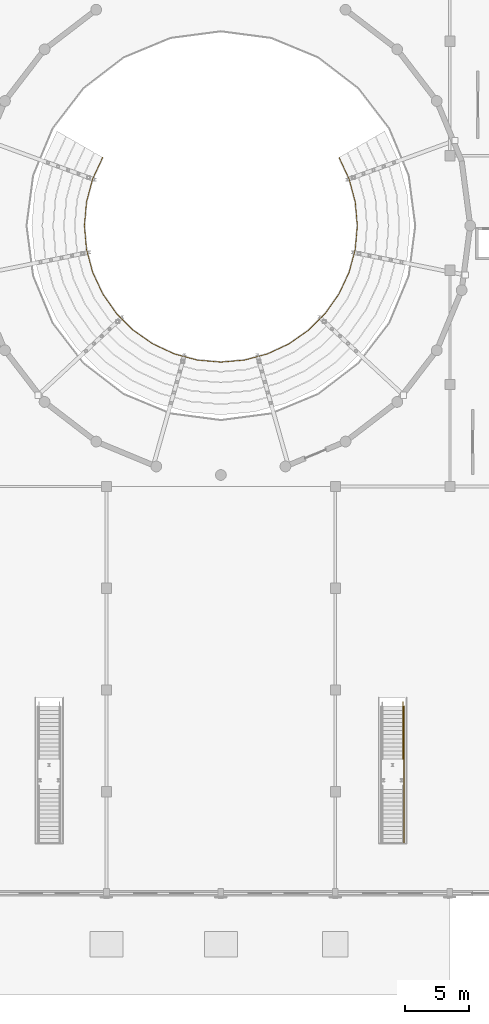
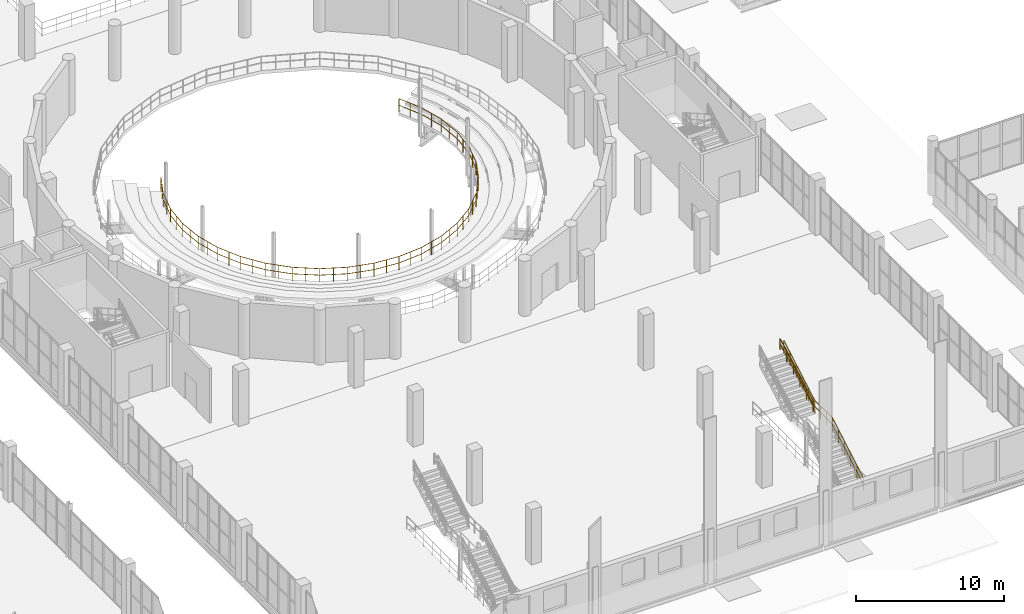
# One storey, part 86 of 93: 3 railings.
"""IFC4 building model written with IfcOpenShell, lengths in metres."""

from ifc_helpers import new_model, si_unit, direction, frame, origin, origin_2d, place, context, subcontext, project, spatial, circle, extrude, material, type_object, element, save


model = new_model("IFC4")

# Units and contexts
model_context = context("Model", 3, precision=1e-05, world=origin(), true_north=direction((0.0, 1.0)))
body_context = subcontext(model_context, "Body", "Model", "MODEL_VIEW")
ifc_project = project(units=[si_unit("LENGTHUNIT", "METRE"), si_unit("AREAUNIT", "SQUARE_METRE"), si_unit("VOLUMEUNIT", "CUBIC_METRE"), si_unit("PLANEANGLEUNIT", "RADIAN"), si_unit("MASSUNIT", "GRAM", prefix="KILO")], contexts=[model_context])

# Site, building, storey
site_placement = place(None, origin())
site = spatial("IfcSite", under=ifc_project, at=site_placement, CompositionType="ELEMENT")
building_placement = place(site_placement, origin())
building = spatial("IfcBuilding", under=site, at=building_placement, Name="Marnock Terrace Opera House", CompositionType="ELEMENT")
storey_placement = place(building_placement, frame((0.0, 0.0, 5.39990234375)))
storey = spatial("IfcBuildingStorey", under=building, at=storey_placement, Name="L01", CompositionType="ELEMENT", Elevation=5.39990234375)

# Railings
ifc_material = material(Name="Architectural bronze balustrade")
railing_type_1 = type_object("IfcRailingType", Name="RL-ATRIUM-1120", PredefinedType="BALUSTRADE", material=ifc_material)
railing_1_placement = place(storey_placement, frame((72.70751953125, 65.864990234375, 0.35009765625)))
element("IfcRailing", 1, at=railing_1_placement, inside=storey, type_object=railing_type_1, Name="L01 floor opening balustrade TIER-FRONT-L01", PredefinedType="BALUSTRADE", context=body_context, shape_type="SweptSolid", body=[
    extrude(circle(Radius=0.02392578125, at=origin_2d()), frame((0.0, 0.0, 1.09619140625), z_axis=(-0.422663928723, -0.906286490773, 0.0), x_axis=(0.906286490773, -0.422663928723, 0.0)), (0.0, 0.0, 1.0), 1.870361328125),
    extrude(circle(Radius=0.02392578125, at=origin_2d()), frame((0.0, 0.0, 0.56005859375), z_axis=(-0.422663928723, -0.906286490773, 0.0), x_axis=(0.906286490773, -0.422663928723, 0.0)), (0.0, 0.0, 1.0), 1.870361328125),
    extrude(circle(Radius=0.02392578125, at=origin_2d()), frame((-0.79052734375, -1.695068359375, 1.09619140625), z_axis=(-0.258718685807, -0.965952711893, 0.0), x_axis=(0.965952711893, -0.258718685807, 0.0)), (0.0, 0.0, 1.0), 1.870361328125),
    extrude(circle(Radius=0.02392578125, at=origin_2d()), frame((-0.79052734375, -1.695068359375, 0.56005859375), z_axis=(-0.258718685807, -0.965952711893, 0.0), x_axis=(0.965952711893, -0.258718685807, 0.0)), (0.0, 0.0, 1.0), 1.870361328125),
    extrude(circle(Radius=0.02392578125, at=origin_2d()), frame((-1.2744140625, -3.501708984375, 1.09619140625), z_axis=(-0.087192857545, -0.996191450271, 0.0), x_axis=(0.996191450271, -0.087192857545, 0.0)), (0.0, 0.0, 1.0), 1.870361328125),
    extrude(circle(Radius=0.02392578125, at=origin_2d()), frame((-1.2744140625, -3.501708984375, 0.56005859375), z_axis=(-0.087192857545, -0.996191450271, 0.0), x_axis=(0.996191450271, -0.087192857545, 0.0)), (0.0, 0.0, 1.0), 1.870361328125),
    extrude(circle(Radius=0.02392578125, at=origin_2d()), frame((-1.4375, -5.364990234375, 1.09619140625), z_axis=(0.087192857545, -0.996191450271, 0.0), x_axis=(0.996191450271, 0.087192857545, 0.0)), (0.0, 0.0, 1.0), 1.870361328125),
    extrude(circle(Radius=0.02392578125, at=origin_2d()), frame((-1.4375, -5.364990234375, 0.56005859375), z_axis=(0.087192857545, -0.996191450271, 0.0), x_axis=(0.996191450271, 0.087192857545, 0.0)), (0.0, 0.0, 1.0), 1.870361328125),
    extrude(circle(Radius=0.02392578125, at=origin_2d()), frame((-1.2744140625, -7.228271484375, 1.09619140625), z_axis=(0.258718685807, -0.965952711893, 0.0), x_axis=(0.965952711893, 0.258718685807, 0.0)), (0.0, 0.0, 1.0), 1.870361328125),
    extrude(circle(Radius=0.02392578125, at=origin_2d()), frame((-1.2744140625, -7.228271484375, 0.56005859375), z_axis=(0.258718685807, -0.965952711893, 0.0), x_axis=(0.965952711893, 0.258718685807, 0.0)), (0.0, 0.0, 1.0), 1.870361328125),
    extrude(circle(Radius=0.02392578125, at=origin_2d()), frame((-0.79052734375, -9.034912109375, 1.09619140625), z_axis=(0.422663928723, -0.906286490773, 0.0), x_axis=(0.906286490773, 0.422663928723, 0.0)), (0.0, 0.0, 1.0), 1.870361328125),
    extrude(circle(Radius=0.02392578125, at=origin_2d()), frame((-0.79052734375, -9.034912109375, 0.56005859375), z_axis=(0.422663928723, -0.906286490773, 0.0), x_axis=(0.906286490773, 0.422663928723, 0.0)), (0.0, 0.0, 1.0), 1.870361328125),
    extrude(circle(Radius=0.02392578125, at=origin_2d()), frame((0.0, -10.72998046875, 1.09619140625), z_axis=(0.573532423483, -0.819182860669, 0.0), x_axis=(0.819182860669, 0.573532423483, 0.0)), (0.0, 0.0, 1.0), 1.870361328125),
    extrude(circle(Radius=0.02392578125, at=origin_2d()), frame((0.0, -10.72998046875, 0.56005859375), z_axis=(0.573532423483, -0.819182860669, 0.0), x_axis=(0.819182860669, 0.573532423483, 0.0)), (0.0, 0.0, 1.0), 1.870361328125),
    extrude(circle(Radius=0.02392578125, at=origin_2d()), frame((1.07275390625, -12.26220703125, 1.09619140625), z_axis=(0.707106781187, -0.707106781187, 0.0), x_axis=(0.707106781187, 0.707106781187, 0.0)), (0.0, 0.0, 1.0), 1.870361328125),
    extrude(circle(Radius=0.02392578125, at=origin_2d()), frame((1.07275390625, -12.26220703125, 0.56005859375), z_axis=(0.707106781187, -0.707106781187, 0.0), x_axis=(0.707106781187, 0.707106781187, 0.0)), (0.0, 0.0, 1.0), 1.870361328125),
    extrude(circle(Radius=0.02392578125, at=origin_2d()), frame((2.395263671875, -13.584716796875, 1.09619140625), z_axis=(0.819182860669, -0.573532423483, 0.0), x_axis=(0.573532423483, 0.819182860669, 0.0)), (0.0, 0.0, 1.0), 1.870361328125),
    extrude(circle(Radius=0.02392578125, at=origin_2d()), frame((2.395263671875, -13.584716796875, 0.56005859375), z_axis=(0.819182860669, -0.573532423483, 0.0), x_axis=(0.573532423483, 0.819182860669, 0.0)), (0.0, 0.0, 1.0), 1.870361328125),
    extrude(circle(Radius=0.02392578125, at=origin_2d()), frame((3.927490234375, -14.657470703125, 1.09619140625), z_axis=(0.906286490773, -0.422663928723, 0.0), x_axis=(0.422663928723, 0.906286490773, 0.0)), (0.0, 0.0, 1.0), 1.870361328125),
    extrude(circle(Radius=0.02392578125, at=origin_2d()), frame((3.927490234375, -14.657470703125, 0.56005859375), z_axis=(0.906286490773, -0.422663928723, 0.0), x_axis=(0.422663928723, 0.906286490773, 0.0)), (0.0, 0.0, 1.0), 1.870361328125),
    extrude(circle(Radius=0.02392578125, at=origin_2d()), frame((5.62255859375, -15.447998046875, 1.09619140625), z_axis=(0.965952711893, -0.258718685807, 0.0), x_axis=(0.258718685807, 0.965952711893, 0.0)), (0.0, 0.0, 1.0), 1.870361328125),
    extrude(circle(Radius=0.02392578125, at=origin_2d()), frame((5.62255859375, -15.447998046875, 0.56005859375), z_axis=(0.965952711893, -0.258718685807, 0.0), x_axis=(0.258718685807, 0.965952711893, 0.0)), (0.0, 0.0, 1.0), 1.870361328125),
    extrude(circle(Radius=0.02392578125, at=origin_2d()), frame((7.42919921875, -15.931884765625, 1.09619140625), z_axis=(0.996191450271, -0.087192857545, 0.0), x_axis=(0.087192857545, 0.996191450271, 0.0)), (0.0, 0.0, 1.0), 1.870361328125),
    extrude(circle(Radius=0.02392578125, at=origin_2d()), frame((7.42919921875, -15.931884765625, 0.56005859375), z_axis=(0.996191450271, -0.087192857545, 0.0), x_axis=(0.087192857545, 0.996191450271, 0.0)), (0.0, 0.0, 1.0), 1.870361328125),
    extrude(circle(Radius=0.02392578125, at=origin_2d()), frame((9.29248046875, -16.094970703125, 1.09619140625), z_axis=(0.996191450271, 0.087192857545, 0.0), x_axis=(-0.087192857545, 0.996191450271, 0.0)), (0.0, 0.0, 1.0), 1.870361328125),
    extrude(circle(Radius=0.02392578125, at=origin_2d()), frame((9.29248046875, -16.094970703125, 0.56005859375), z_axis=(0.996191450271, 0.087192857545, 0.0), x_axis=(-0.087192857545, 0.996191450271, 0.0)), (0.0, 0.0, 1.0), 1.870361328125),
    extrude(circle(Radius=0.02392578125, at=origin_2d()), frame((11.15576171875, -15.931884765625, 1.09619140625), z_axis=(0.965952711893, 0.258718685807, 0.0), x_axis=(-0.258718685807, 0.965952711893, 0.0)), (0.0, 0.0, 1.0), 1.870361328125),
    extrude(circle(Radius=0.02392578125, at=origin_2d()), frame((11.15576171875, -15.931884765625, 0.56005859375), z_axis=(0.965952711893, 0.258718685807, 0.0), x_axis=(-0.258718685807, 0.965952711893, 0.0)), (0.0, 0.0, 1.0), 1.870361328125),
    extrude(circle(Radius=0.02392578125, at=origin_2d()), frame((12.96240234375, -15.447998046875, 1.09619140625), z_axis=(0.906286490773, 0.422663928723, 0.0), x_axis=(-0.422663928723, 0.906286490773, 0.0)), (0.0, 0.0, 1.0), 1.870361328125),
    extrude(circle(Radius=0.02392578125, at=origin_2d()), frame((12.96240234375, -15.447998046875, 0.56005859375), z_axis=(0.906286490773, 0.422663928723, 0.0), x_axis=(-0.422663928723, 0.906286490773, 0.0)), (0.0, 0.0, 1.0), 1.870361328125),
    extrude(circle(Radius=0.02392578125, at=origin_2d()), frame((14.657470703125, -14.657470703125, 1.09619140625), z_axis=(0.819182860669, 0.573532423483, 0.0), x_axis=(-0.573532423483, 0.819182860669, 0.0)), (0.0, 0.0, 1.0), 1.870361328125),
    extrude(circle(Radius=0.02392578125, at=origin_2d()), frame((14.657470703125, -14.657470703125, 0.56005859375), z_axis=(0.819182860669, 0.573532423483, 0.0), x_axis=(-0.573532423483, 0.819182860669, 0.0)), (0.0, 0.0, 1.0), 1.870361328125),
    extrude(circle(Radius=0.02392578125, at=origin_2d()), frame((16.189697265625, -13.584716796875, 1.09619140625), z_axis=(0.707106781187, 0.707106781187, 0.0), x_axis=(-0.707106781187, 0.707106781187, 0.0)), (0.0, 0.0, 1.0), 1.870361328125),
    extrude(circle(Radius=0.02392578125, at=origin_2d()), frame((16.189697265625, -13.584716796875, 0.56005859375), z_axis=(0.707106781187, 0.707106781187, 0.0), x_axis=(-0.707106781187, 0.707106781187, 0.0)), (0.0, 0.0, 1.0), 1.870361328125),
    extrude(circle(Radius=0.02392578125, at=origin_2d()), frame((17.51220703125, -12.26220703125, 1.09619140625), z_axis=(0.573532423483, 0.819182860669, 0.0), x_axis=(-0.819182860669, 0.573532423483, 0.0)), (0.0, 0.0, 1.0), 1.870361328125),
    extrude(circle(Radius=0.02392578125, at=origin_2d()), frame((17.51220703125, -12.26220703125, 0.56005859375), z_axis=(0.573532423483, 0.819182860669, 0.0), x_axis=(-0.819182860669, 0.573532423483, 0.0)), (0.0, 0.0, 1.0), 1.870361328125),
    extrude(circle(Radius=0.02392578125, at=origin_2d()), frame((18.5849609375, -10.72998046875, 1.09619140625), z_axis=(0.422663928723, 0.906286490773, 0.0), x_axis=(-0.906286490773, 0.422663928723, 0.0)), (0.0, 0.0, 1.0), 1.870361328125),
    extrude(circle(Radius=0.02392578125, at=origin_2d()), frame((18.5849609375, -10.72998046875, 0.56005859375), z_axis=(0.422663928723, 0.906286490773, 0.0), x_axis=(-0.906286490773, 0.422663928723, 0.0)), (0.0, 0.0, 1.0), 1.870361328125),
    extrude(circle(Radius=0.02392578125, at=origin_2d()), frame((19.37548828125, -9.034912109375, 1.09619140625), z_axis=(0.258718685807, 0.965952711893, 0.0), x_axis=(-0.965952711893, 0.258718685807, 0.0)), (0.0, 0.0, 1.0), 1.870361328125),
    extrude(circle(Radius=0.02392578125, at=origin_2d()), frame((19.37548828125, -9.034912109375, 0.56005859375), z_axis=(0.258718685807, 0.965952711893, 0.0), x_axis=(-0.965952711893, 0.258718685807, 0.0)), (0.0, 0.0, 1.0), 1.870361328125),
    extrude(circle(Radius=0.02392578125, at=origin_2d()), frame((19.859375, -7.228271484375, 1.09619140625), z_axis=(0.087192857545, 0.996191450271, 0.0), x_axis=(-0.996191450271, 0.087192857545, 0.0)), (0.0, 0.0, 1.0), 1.870361328125),
    extrude(circle(Radius=0.02392578125, at=origin_2d()), frame((19.859375, -7.228271484375, 0.56005859375), z_axis=(0.087192857545, 0.996191450271, 0.0), x_axis=(-0.996191450271, 0.087192857545, 0.0)), (0.0, 0.0, 1.0), 1.870361328125),
    extrude(circle(Radius=0.02392578125, at=origin_2d()), frame((20.0224609375, -5.364990234375, 1.09619140625), z_axis=(-0.087192857545, 0.996191450271, 0.0), x_axis=(-0.996191450271, -0.087192857545, 0.0)), (0.0, 0.0, 1.0), 1.870361328125),
    extrude(circle(Radius=0.02392578125, at=origin_2d()), frame((20.0224609375, -5.364990234375, 0.56005859375), z_axis=(-0.087192857545, 0.996191450271, 0.0), x_axis=(-0.996191450271, -0.087192857545, 0.0)), (0.0, 0.0, 1.0), 1.870361328125),
    extrude(circle(Radius=0.02392578125, at=origin_2d()), frame((19.859375, -3.501708984375, 1.09619140625), z_axis=(-0.258718685807, 0.965952711893, 0.0), x_axis=(-0.965952711893, -0.258718685807, 0.0)), (0.0, 0.0, 1.0), 1.870361328125),
    extrude(circle(Radius=0.02392578125, at=origin_2d()), frame((19.859375, -3.501708984375, 0.56005859375), z_axis=(-0.258718685807, 0.965952711893, 0.0), x_axis=(-0.965952711893, -0.258718685807, 0.0)), (0.0, 0.0, 1.0), 1.870361328125),
    extrude(circle(Radius=0.02392578125, at=origin_2d()), frame((19.37548828125, -1.695068359375, 1.09619140625), z_axis=(-0.422663928723, 0.906286490773, 0.0), x_axis=(-0.906286490773, -0.422663928723, 0.0)), (0.0, 0.0, 1.0), 1.870361328125),
    extrude(circle(Radius=0.02392578125, at=origin_2d()), frame((19.37548828125, -1.695068359375, 0.56005859375), z_axis=(-0.422663928723, 0.906286490773, 0.0), x_axis=(-0.906286490773, -0.422663928723, 0.0)), (0.0, 0.0, 1.0), 1.870361328125),
    extrude(circle(Radius=0.02099609375, at=origin_2d()), origin(), (0.0, 0.0, 1.0), 1.072021484375),
    extrude(circle(Radius=0.02099609375, at=origin_2d()), frame((-0.395263671875, -0.84765625, 0.0)), (0.0, 0.0, 1.0), 1.072021484375),
    extrude(circle(Radius=0.02099609375, at=origin_2d()), frame((-0.79052734375, -1.695068359375, 0.0)), (0.0, 0.0, 1.0), 1.072021484375),
    extrude(circle(Radius=0.02099609375, at=origin_2d()), frame((-1.032470703125, -2.598388671875, 0.0)), (0.0, 0.0, 1.0), 1.072021484375),
    extrude(circle(Radius=0.02099609375, at=origin_2d()), frame((-1.2744140625, -3.501708984375, 0.0)), (0.0, 0.0, 1.0), 1.072021484375),
    extrude(circle(Radius=0.02099609375, at=origin_2d()), frame((-1.35595703125, -4.433349609375, 0.0)), (0.0, 0.0, 1.0), 1.072021484375),
    extrude(circle(Radius=0.02099609375, at=origin_2d()), frame((-1.4375, -5.364990234375, 0.0)), (0.0, 0.0, 1.0), 1.072021484375),
    extrude(circle(Radius=0.02099609375, at=origin_2d()), frame((-1.35595703125, -6.296630859375, 0.0)), (0.0, 0.0, 1.0), 1.072021484375),
    extrude(circle(Radius=0.02099609375, at=origin_2d()), frame((-1.2744140625, -7.228271484375, 0.0)), (0.0, 0.0, 1.0), 1.072021484375),
    extrude(circle(Radius=0.02099609375, at=origin_2d()), frame((-1.032470703125, -8.131591796875, 0.0)), (0.0, 0.0, 1.0), 1.072021484375),
    extrude(circle(Radius=0.02099609375, at=origin_2d()), frame((-0.79052734375, -9.034912109375, 0.0)), (0.0, 0.0, 1.0), 1.072021484375),
    extrude(circle(Radius=0.02099609375, at=origin_2d()), frame((-0.395263671875, -9.88232421875, 0.0)), (0.0, 0.0, 1.0), 1.072021484375),
    extrude(circle(Radius=0.02099609375, at=origin_2d()), frame((0.0, -10.72998046875, 0.0)), (0.0, 0.0, 1.0), 1.072021484375),
    extrude(circle(Radius=0.02099609375, at=origin_2d()), frame((0.536376953125, -11.49609375, 0.0)), (0.0, 0.0, 1.0), 1.072021484375),
    extrude(circle(Radius=0.02099609375, at=origin_2d()), frame((1.07275390625, -12.26220703125, 0.0)), (0.0, 0.0, 1.0), 1.072021484375),
    extrude(circle(Radius=0.02099609375, at=origin_2d()), frame((1.73388671875, -12.92333984375, 0.0)), (0.0, 0.0, 1.0), 1.072021484375),
    extrude(circle(Radius=0.02099609375, at=origin_2d()), frame((2.395263671875, -13.584716796875, 0.0)), (0.0, 0.0, 1.0), 1.072021484375),
    extrude(circle(Radius=0.02099609375, at=origin_2d()), frame((3.161376953125, -14.12109375, 0.0)), (0.0, 0.0, 1.0), 1.072021484375),
    extrude(circle(Radius=0.02099609375, at=origin_2d()), frame((3.927490234375, -14.657470703125, 0.0)), (0.0, 0.0, 1.0), 1.072021484375),
    extrude(circle(Radius=0.02099609375, at=origin_2d()), frame((4.77490234375, -15.052734375, 0.0)), (0.0, 0.0, 1.0), 1.072021484375),
    extrude(circle(Radius=0.02099609375, at=origin_2d()), frame((5.62255859375, -15.447998046875, 0.0)), (0.0, 0.0, 1.0), 1.072021484375),
    extrude(circle(Radius=0.02099609375, at=origin_2d()), frame((6.52587890625, -15.68994140625, 0.0)), (0.0, 0.0, 1.0), 1.072021484375),
    extrude(circle(Radius=0.02099609375, at=origin_2d()), frame((7.42919921875, -15.931884765625, 0.0)), (0.0, 0.0, 1.0), 1.072021484375),
    extrude(circle(Radius=0.02099609375, at=origin_2d()), frame((8.36083984375, -16.013427734375, 0.0)), (0.0, 0.0, 1.0), 1.072021484375),
    extrude(circle(Radius=0.02099609375, at=origin_2d()), frame((9.29248046875, -16.094970703125, 0.0)), (0.0, 0.0, 1.0), 1.072021484375),
    extrude(circle(Radius=0.02099609375, at=origin_2d()), frame((10.22412109375, -16.013427734375, 0.0)), (0.0, 0.0, 1.0), 1.072021484375),
    extrude(circle(Radius=0.02099609375, at=origin_2d()), frame((11.15576171875, -15.931884765625, 0.0)), (0.0, 0.0, 1.0), 1.072021484375),
    extrude(circle(Radius=0.02099609375, at=origin_2d()), frame((12.05908203125, -15.68994140625, 0.0)), (0.0, 0.0, 1.0), 1.072021484375),
    extrude(circle(Radius=0.02099609375, at=origin_2d()), frame((12.96240234375, -15.447998046875, 0.0)), (0.0, 0.0, 1.0), 1.072021484375),
    extrude(circle(Radius=0.02099609375, at=origin_2d()), frame((13.81005859375, -15.052734375, 0.0)), (0.0, 0.0, 1.0), 1.072021484375),
    extrude(circle(Radius=0.02099609375, at=origin_2d()), frame((14.657470703125, -14.657470703125, 0.0)), (0.0, 0.0, 1.0), 1.072021484375),
    extrude(circle(Radius=0.02099609375, at=origin_2d()), frame((15.423583984375, -14.12109375, 0.0)), (0.0, 0.0, 1.0), 1.072021484375),
    extrude(circle(Radius=0.02099609375, at=origin_2d()), frame((16.189697265625, -13.584716796875, 0.0)), (0.0, 0.0, 1.0), 1.072021484375),
    extrude(circle(Radius=0.02099609375, at=origin_2d()), frame((16.85107421875, -12.92333984375, 0.0)), (0.0, 0.0, 1.0), 1.072021484375),
    extrude(circle(Radius=0.02099609375, at=origin_2d()), frame((17.51220703125, -12.26220703125, 0.0)), (0.0, 0.0, 1.0), 1.072021484375),
    extrude(circle(Radius=0.02099609375, at=origin_2d()), frame((18.048583984375, -11.49609375, 0.0)), (0.0, 0.0, 1.0), 1.072021484375),
    extrude(circle(Radius=0.02099609375, at=origin_2d()), frame((18.5849609375, -10.72998046875, 0.0)), (0.0, 0.0, 1.0), 1.072021484375),
    extrude(circle(Radius=0.02099609375, at=origin_2d()), frame((18.980224609375, -9.88232421875, 0.0)), (0.0, 0.0, 1.0), 1.072021484375),
    extrude(circle(Radius=0.02099609375, at=origin_2d()), frame((19.37548828125, -9.034912109375, 0.0)), (0.0, 0.0, 1.0), 1.072021484375),
    extrude(circle(Radius=0.02099609375, at=origin_2d()), frame((19.617431640625, -8.131591796875, 0.0)), (0.0, 0.0, 1.0), 1.072021484375),
    extrude(circle(Radius=0.02099609375, at=origin_2d()), frame((19.859375, -7.228271484375, 0.0)), (0.0, 0.0, 1.0), 1.072021484375),
    extrude(circle(Radius=0.02099609375, at=origin_2d()), frame((19.94091796875, -6.296630859375, 0.0)), (0.0, 0.0, 1.0), 1.072021484375),
    extrude(circle(Radius=0.02099609375, at=origin_2d()), frame((20.0224609375, -5.364990234375, 0.0)), (0.0, 0.0, 1.0), 1.072021484375),
    extrude(circle(Radius=0.02099609375, at=origin_2d()), frame((19.94091796875, -4.433349609375, 0.0)), (0.0, 0.0, 1.0), 1.072021484375),
    extrude(circle(Radius=0.02099609375, at=origin_2d()), frame((19.859375, -3.501708984375, 0.0)), (0.0, 0.0, 1.0), 1.072021484375),
    extrude(circle(Radius=0.02099609375, at=origin_2d()), frame((19.617431640625, -2.598388671875, 0.0)), (0.0, 0.0, 1.0), 1.072021484375),
    extrude(circle(Radius=0.02099609375, at=origin_2d()), frame((19.37548828125, -1.695068359375, 0.0)), (0.0, 0.0, 1.0), 1.072021484375),
    extrude(circle(Radius=0.02099609375, at=origin_2d()), frame((18.980224609375, -0.84765625, 0.0)), (0.0, 0.0, 1.0), 1.072021484375),
    extrude(circle(Radius=0.02099609375, at=origin_2d()), frame((18.5849609375, 0.0, 0.0)), (0.0, 0.0, 1.0), 1.072021484375),
])
railing_type_2 = type_object("IfcRailingType", Name="RL-GUARD-1100", PredefinedType="GUARDRAIL", material=ifc_material)
railing_2_placement = place(storey_placement, frame((96.409912109375, 12.0, 0.0)))
element("IfcRailing", 2, at=railing_2_placement, inside=storey, type_object=railing_type_2, Name="L01 Grand Stair side guard R", PredefinedType="GUARDRAIL", context=body_context, shape_type="SweptSolid", body=[
    extrude(circle(Radius=0.02392578125, at=origin_2d()), frame((0.0, 0.0, 1.076171875), z_axis=(0.0, 0.866167813198, 0.499753258498), x_axis=(-1.0, 0.0, 0.0)), (0.0, 0.0, 1.0), 4.802734375),
    extrude(circle(Radius=0.02392578125, at=origin_2d()), frame((0.0, 0.0, 0.550048828125), z_axis=(0.0, 0.866167813198, 0.499753258498), x_axis=(-1.0, 0.0, 0.0)), (0.0, 0.0, 1.0), 4.802734375),
    extrude(circle(Radius=0.02392578125, at=origin_2d()), frame((0.0, 4.159912109375, 3.47607421875), z_axis=(0.0, 1.0, 0.0), x_axis=(-1.0, 0.0, 0.0)), (0.0, 0.0, 1.0), 2.400146484375),
    extrude(circle(Radius=0.02392578125, at=origin_2d()), frame((0.0, 4.159912109375, 2.9501953125), z_axis=(0.0, 1.0, 0.0), x_axis=(-1.0, 0.0, 0.0)), (0.0, 0.0, 1.0), 2.400146484375),
    extrude(circle(Radius=0.02392578125, at=origin_2d()), frame((0.0, 6.56005859375, 3.47607421875), z_axis=(0.0, 0.866189817626, 0.499715118684), x_axis=(-1.0, 0.0, 0.0)), (0.0, 0.0, 1.0), 4.802490234375),
    extrude(circle(Radius=0.02392578125, at=origin_2d()), frame((0.0, 6.56005859375, 2.9501953125), z_axis=(0.0, 0.866189817626, 0.499715118684), x_axis=(-1.0, 0.0, 0.0)), (0.0, 0.0, 1.0), 4.802490234375),
    extrude(circle(Radius=0.02099609375, at=origin_2d()), origin(), (0.0, 0.0, 1.0), 1.052001953125),
    extrude(circle(Radius=0.02099609375, at=origin_2d()), frame((0.0, 0.83203125, 0.47998046875)), (0.0, 0.0, 1.0), 1.052001953125),
    extrude(circle(Radius=0.02099609375, at=origin_2d()), frame((0.0, 1.6640625, 0.9599609375)), (0.0, 0.0, 1.0), 1.052001953125),
    extrude(circle(Radius=0.02099609375, at=origin_2d()), frame((0.0, 2.495849609375, 1.440185546875)), (0.0, 0.0, 1.0), 1.052001953125),
    extrude(circle(Radius=0.02099609375, at=origin_2d()), frame((0.0, 3.327880859375, 1.920166015625)), (0.0, 0.0, 1.0), 1.052001953125),
    extrude(circle(Radius=0.02099609375, at=origin_2d()), frame((0.0, 4.159912109375, 2.400146484375)), (0.0, 0.0, 1.0), 1.052001953125),
    extrude(circle(Radius=0.02099609375, at=origin_2d()), frame((0.0, 4.9599609375, 2.400146484375)), (0.0, 0.0, 1.0), 1.052001953125),
    extrude(circle(Radius=0.02099609375, at=origin_2d()), frame((0.0, 5.760009765625, 2.400146484375)), (0.0, 0.0, 1.0), 1.052001953125),
    extrude(circle(Radius=0.02099609375, at=origin_2d()), frame((0.0, 6.56005859375, 2.400146484375)), (0.0, 0.0, 1.0), 1.052001953125),
    extrude(circle(Radius=0.02099609375, at=origin_2d()), frame((0.0, 7.39208984375, 2.880126953125)), (0.0, 0.0, 1.0), 1.052001953125),
    extrude(circle(Radius=0.02099609375, at=origin_2d()), frame((0.0, 8.22412109375, 3.360107421875)), (0.0, 0.0, 1.0), 1.052001953125),
    extrude(circle(Radius=0.02099609375, at=origin_2d()), frame((0.0, 9.055908203125, 3.840087890625)), (0.0, 0.0, 1.0), 1.052001953125),
    extrude(circle(Radius=0.02099609375, at=origin_2d()), frame((0.0, 9.887939453125, 4.320068359375)), (0.0, 0.0, 1.0), 1.052001953125),
    extrude(circle(Radius=0.02099609375, at=origin_2d()), frame((0.0, 10.719970703125, 4.800048828125)), (0.0, 0.0, 1.0), 1.052001953125),
])
railing_type_3 = type_object("IfcRailingType", Name="RL-HAND-900", PredefinedType="HANDRAIL", material=ifc_material)
railing_3_placement = place(storey_placement, frame((96.31005859375, 18.56005859375, 2.58349609375)))
element("IfcRailing", 3, at=railing_3_placement, inside=storey, type_object=railing_type_3, Name="L01 Grand Stair upper flight handrail R", PredefinedType="HANDRAIL", context=body_context, shape_type="SweptSolid", body=[
    extrude(circle(Radius=0.02392578125, at=origin_2d()), frame((0.0, 0.0, 0.8759765625), z_axis=(0.0, 0.881467115574, 0.472245406714), x_axis=(-1.0, 0.0, 0.0)), (0.0, 0.0, 1.0), 5.08251953125),
    extrude(circle(Radius=0.02392578125, at=origin_2d()), frame((0.0, 0.0, 0.449951171875), z_axis=(0.0, 0.881467115574, 0.472245406714), x_axis=(-1.0, 0.0, 0.0)), (0.0, 0.0, 1.0), 5.08251953125),
    extrude(circle(Radius=0.02099609375, at=origin_2d()), origin(), (0.0, 0.0, 1.0), 0.851806640625),
    extrude(circle(Radius=0.02099609375, at=origin_2d()), frame((0.0, 0.89599609375, 0.47998046875)), (0.0, 0.0, 1.0), 0.851806640625),
    extrude(circle(Radius=0.02099609375, at=origin_2d()), frame((0.0, 1.7919921875, 0.9599609375)), (0.0, 0.0, 1.0), 0.851806640625),
    extrude(circle(Radius=0.02099609375, at=origin_2d()), frame((0.0, 2.68798828125, 1.440185546875)), (0.0, 0.0, 1.0), 0.851806640625),
    extrude(circle(Radius=0.02099609375, at=origin_2d()), frame((0.0, 3.583984375, 1.920166015625)), (0.0, 0.0, 1.0), 0.851806640625),
    extrude(circle(Radius=0.02099609375, at=origin_2d()), frame((0.0, 4.47998046875, 2.400146484375)), (0.0, 0.0, 1.0), 0.851806640625),
])

save(model, "model.ifc")
